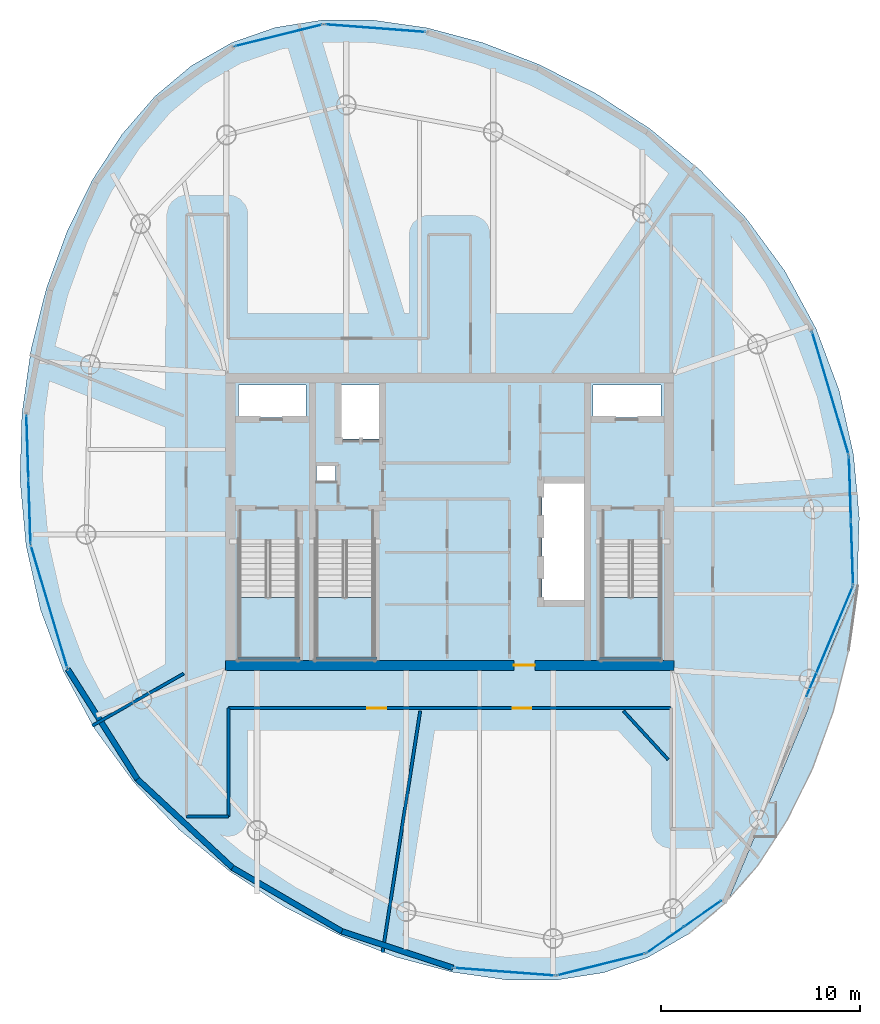
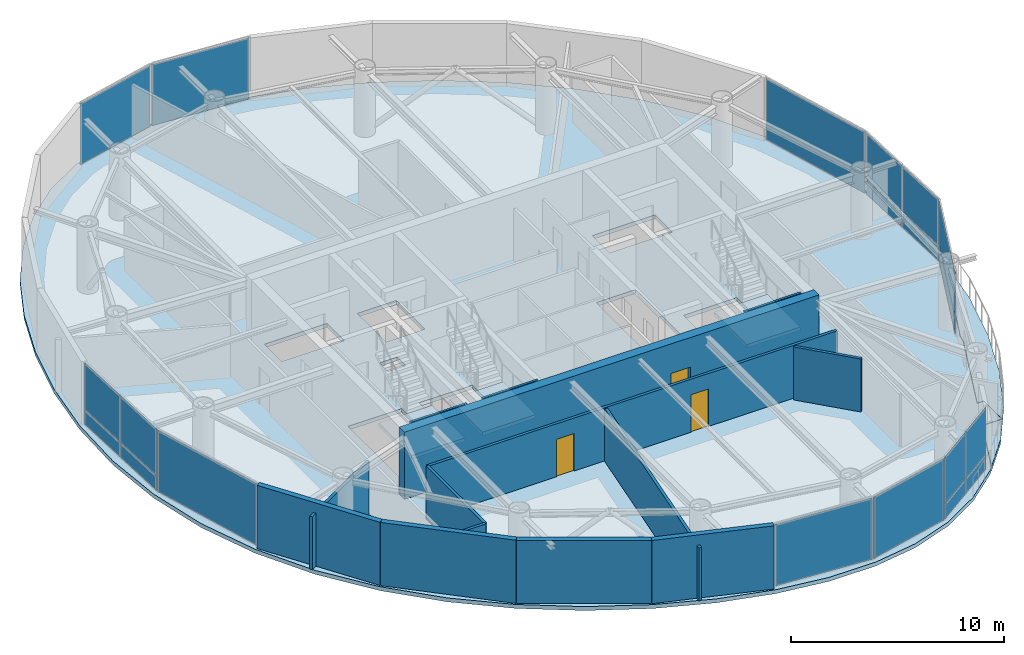
# One storey, part 16 of 23: 20 plates, 14 walls, 5 slabs, 3 doors, 3 openings, 13 elements without a shape of their own.
"""IFC4 building model written with IfcOpenShell, lengths in metres."""

from ifc_helpers import new_model, si_unit, direction, frame, frame_2d, origin, origin_2d, place, context, subcontext, project, spatial, polyline, rectangle, outline, extrude, material, layer, layer_set, type_object, element, fill, aggregate, save


model = new_model("IFC4")

# Units and contexts
model_context = context("Model", 3, precision=1e-05, world=origin(), true_north=direction((0.0, 1.0)))
body_context = subcontext(model_context, "Body", "Model", "MODEL_VIEW")
ifc_project = project(units=[si_unit("LENGTHUNIT", "METRE"), si_unit("AREAUNIT", "SQUARE_METRE"), si_unit("VOLUMEUNIT", "CUBIC_METRE"), si_unit("PLANEANGLEUNIT", "RADIAN"), si_unit("MASSUNIT", "GRAM", prefix="KILO")], contexts=[model_context])

# Site, building, storey
site_placement = place(None, origin())
site = spatial("IfcSite", under=ifc_project, at=site_placement, CompositionType="ELEMENT")
building_placement = place(site_placement, origin())
building = spatial("IfcBuilding", under=site, at=building_placement, Name="Bramvorn Convention Spire", CompositionType="ELEMENT")
storey_placement = place(building_placement, frame((0.0, 0.0, 295.949951171875)))
storey = spatial("IfcBuildingStorey", under=building, at=storey_placement, Name="L75", CompositionType="ELEMENT", Elevation=295.949951171875)

# Curtain wall, plates
ifc_material_1 = material(Name="Anodised Bronze Unitised Curtain Wall", Category="aluminium")
ifc_layer_1 = layer(ifc_material_1, 0.179931640625)
ifc_layer_set_1 = layer_set([ifc_layer_1], Name="Anodised Bronze Unitised Curtain Wall - CW-OFF-FRIT")
curtain_wall_type_1 = type_object("IfcCurtainWallType", Name="CW-OFF-FRIT", PredefinedType="USERDEFINED", material=ifc_layer_set_1)
curtain_wall_1_placement = place(storey_placement, origin())
curtain_wall_1 = element("IfcCurtainWall", 1, at=curtain_wall_1_placement, inside=storey, type_object=curtain_wall_type_1, Name="L75 fritted glass curtain wall 01", ObjectType="UNITISED CURTAIN WALL", PredefinedType="USERDEFINED")
ifc_material_2 = material(Name="Laminated Low-E Glass (Triple IGU High-VLT Low-Iron 22%)", Category="glass")
ifc_layer_2 = layer(ifc_material_2, 0.0419921875)
ifc_layer_set_2 = layer_set([ifc_layer_2], Name="Laminated Low-E Glass (Triple IGU High-VLT Low-Iron 22%) - PNL-IGU-4")
plate_type_1 = type_object("IfcPlateType", Name="PNL-IGU-4", PredefinedType="CURTAIN_PANEL", material=ifc_layer_set_2)
plate_1_placement = place(storey_placement, frame((50.6875, 6.34423828125, 0.06005859375), z_axis=(0.0, 0.0, 1.0), x_axis=(-0.819197572967, -0.573511409168, 0.0)))
plate_1 = element("IfcPlate", 2, at=plate_1_placement, type_object=plate_type_1, Name="CW3 panel 1.1", PredefinedType="CURTAIN_PANEL", context=body_context, shape_type="SweptSolid", body=[
    extrude(rectangle(XDim=2.2353515625, YDim=0.028076171875, at=origin_2d()), origin(), (0.0, 0.0, 1.0), 0.81005859375),
])
plate_2_placement = place(storey_placement, frame((50.6875, 6.34423828125, 0.93017578125), z_axis=(0.0, 0.0, 1.0), x_axis=(-0.819197572967, -0.573511409168, 0.0)))
plate_2 = element("IfcPlate", 3, at=plate_2_placement, type_object=plate_type_1, Name="CW3 panel 1.2", PredefinedType="CURTAIN_PANEL", context=body_context, shape_type="SweptSolid", body=[
    extrude(rectangle(XDim=2.2353515625, YDim=0.028076171875, at=origin_2d()), origin(), (0.0, 0.0, 1.0), 2.635009765625),
])
plate_3_placement = place(storey_placement, frame((48.80712890625, 5.02783203125, 0.06005859375), z_axis=(0.0, 0.0, 1.0), x_axis=(-0.819197572967, -0.573511409168, 0.0)))
plate_3 = element("IfcPlate", 4, at=plate_3_placement, type_object=plate_type_1, Name="CW3 panel 2.1", PredefinedType="CURTAIN_PANEL", context=body_context, shape_type="SweptSolid", body=[
    extrude(rectangle(XDim=2.2353515625, YDim=0.028076171875, at=origin_2d()), origin(), (0.0, 0.0, 1.0), 0.81005859375),
])
plate_4_placement = place(storey_placement, frame((48.80712890625, 5.02783203125, 0.93017578125), z_axis=(0.0, 0.0, 1.0), x_axis=(-0.819197572967, -0.573511409168, 0.0)))
plate_4 = element("IfcPlate", 5, at=plate_4_placement, type_object=plate_type_1, Name="CW3 panel 2.2", PredefinedType="CURTAIN_PANEL", context=body_context, shape_type="SweptSolid", body=[
    extrude(rectangle(XDim=2.2353515625, YDim=0.028076171875, at=origin_2d()), origin(), (0.0, 0.0, 1.0), 2.635009765625),
])
aggregate(curtain_wall_1, [plate_1, plate_2, plate_3, plate_4])

curtain_wall_2_placement = place(storey_placement, origin())
curtain_wall_2 = element("IfcCurtainWall", 6, at=curtain_wall_2_placement, inside=storey, type_object=curtain_wall_type_1, Name="L75 fritted glass curtain wall 05", ObjectType="UNITISED CURTAIN WALL", PredefinedType="USERDEFINED")
plate_5_placement = place(storey_placement, frame((58.07763671875, 27.675048828125, 0.06005859375), z_axis=(0.0, 0.0, 1.0), x_axis=(0.032147476854, -0.999483136292, 0.0)))
plate_5 = element("IfcPlate", 7, at=plate_5_placement, type_object=plate_type_1, Name="CW3 panel 1.1", PredefinedType="CURTAIN_PANEL", context=body_context, shape_type="SweptSolid", body=[
    extrude(rectangle(XDim=3.173095703125, YDim=0.028076171875, at=origin_2d()), origin(), (0.0, 0.0, 1.0), 0.81005859375),
])
plate_6_placement = place(storey_placement, frame((58.07763671875, 27.675048828125, 0.93017578125), z_axis=(0.0, 0.0, 1.0), x_axis=(0.032147476854, -0.999483136292, 0.0)))
plate_6 = element("IfcPlate", 8, at=plate_6_placement, type_object=plate_type_1, Name="CW3 panel 1.2", PredefinedType="CURTAIN_PANEL", context=body_context, shape_type="SweptSolid", body=[
    extrude(rectangle(XDim=3.173095703125, YDim=0.028076171875, at=origin_2d()), origin(), (0.0, 0.0, 1.0), 2.635009765625),
])
plate_7_placement = place(storey_placement, frame((58.181640625, 24.443603515625, 0.06005859375), z_axis=(0.0, 0.0, 1.0), x_axis=(0.032147476854, -0.999483136292, 0.0)))
plate_7 = element("IfcPlate", 9, at=plate_7_placement, type_object=plate_type_1, Name="CW3 panel 2.1", PredefinedType="CURTAIN_PANEL", context=body_context, shape_type="SweptSolid", body=[
    extrude(rectangle(XDim=3.173095703125, YDim=0.028076171875, at=origin_2d()), origin(), (0.0, 0.0, 1.0), 0.81005859375),
])
plate_8_placement = place(storey_placement, frame((58.181640625, 24.443603515625, 0.93017578125), z_axis=(0.0, 0.0, 1.0), x_axis=(0.032147476854, -0.999483136292, 0.0)))
plate_8 = element("IfcPlate", 10, at=plate_8_placement, type_object=plate_type_1, Name="CW3 panel 2.2", PredefinedType="CURTAIN_PANEL", context=body_context, shape_type="SweptSolid", body=[
    extrude(rectangle(XDim=3.173095703125, YDim=0.028076171875, at=origin_2d()), origin(), (0.0, 0.0, 1.0), 2.635009765625),
])
aggregate(curtain_wall_2, [plate_5, plate_6, plate_7, plate_8])

# Curtain wall, plate
curtain_wall_3_placement = place(storey_placement, origin())
curtain_wall_3 = element("IfcCurtainWall", 11, at=curtain_wall_3_placement, inside=storey, type_object=curtain_wall_type_1, Name="L75 fritted glass curtain wall 06", ObjectType="UNITISED CURTAIN WALL", PredefinedType="USERDEFINED")
plate_9_placement = place(storey_placement, frame((57.09423828125, 32.44873046875, 0.06005859375), z_axis=(0.0, 0.0, 1.0), x_axis=(0.285168477807, -0.958477406758, 0.0)))
plate_9 = element("IfcPlate", 12, at=plate_9_placement, type_object=plate_type_1, Name="CW3 panel 1.1", PredefinedType="CURTAIN_PANEL", context=body_context, shape_type="SweptSolid", body=[
    extrude(rectangle(XDim=6.406982421875, YDim=0.028076171875, at=origin_2d()), origin(), (0.0, 0.0, 1.0), 3.5048828125),
])
aggregate(curtain_wall_3, [plate_9])

curtain_wall_4_placement = place(storey_placement, origin())
curtain_wall_4 = element("IfcCurtainWall", 13, at=curtain_wall_4_placement, inside=storey, type_object=curtain_wall_type_1, Name="L75 fritted glass curtain wall 11", ObjectType="UNITISED CURTAIN WALL", PredefinedType="USERDEFINED")
plate_10_placement = place(storey_placement, frame((34.260498046875, 50.753173828125, 0.06005859375), z_axis=(0.0, 0.0, 1.0), x_axis=(0.99711246303, -0.075939028641, 0.0)))
plate_10 = element("IfcPlate", 14, at=plate_10_placement, type_object=plate_type_1, Name="CW3 panel 1.1", PredefinedType="CURTAIN_PANEL", context=body_context, shape_type="SweptSolid", body=[
    extrude(rectangle(XDim=5.05908203125, YDim=0.028076171875, at=origin_2d()), origin(), (0.0, 0.0, 1.0), 3.5048828125),
])
aggregate(curtain_wall_4, [plate_10])

curtain_wall_5_placement = place(storey_placement, origin())
curtain_wall_5 = element("IfcCurtainWall", 15, at=curtain_wall_5_placement, inside=storey, type_object=curtain_wall_type_1, Name="L75 fritted glass curtain wall 12", ObjectType="UNITISED CURTAIN WALL", PredefinedType="USERDEFINED")
plate_11_placement = place(storey_placement, frame((29.42138671875, 50.39111328125, 0.06005859375), z_axis=(0.0, 0.0, 1.0), x_axis=(0.970701489864, 0.240288613081, 0.0)))
plate_11 = element("IfcPlate", 16, at=plate_11_placement, type_object=plate_type_1, Name="CW3 panel 1.1", PredefinedType="CURTAIN_PANEL", context=body_context, shape_type="SweptSolid", body=[
    extrude(rectangle(XDim=4.53076171875, YDim=0.028076171875, at=origin_2d()), origin(), (0.0, 0.0, 1.0), 3.5048828125),
])
aggregate(curtain_wall_5, [plate_11])

# Curtain wall, plates
curtain_wall_6_placement = place(storey_placement, origin())
curtain_wall_6 = element("IfcCurtainWall", 17, at=curtain_wall_6_placement, inside=storey, type_object=curtain_wall_type_1, Name="L75 fritted glass curtain wall 17", ObjectType="UNITISED CURTAIN WALL", PredefinedType="USERDEFINED")
plate_12_placement = place(storey_placement, frame((16.928955078125, 26.509765625, 0.06005859375), z_axis=(0.0, 0.0, 1.0), x_axis=(-0.032147476854, 0.999483136292, 0.0)))
plate_12 = element("IfcPlate", 18, at=plate_12_placement, type_object=plate_type_1, Name="CW3 panel 1.1", PredefinedType="CURTAIN_PANEL", context=body_context, shape_type="SweptSolid", body=[
    extrude(rectangle(XDim=3.173095703125, YDim=0.028076171875, at=origin_2d()), origin(), (0.0, 0.0, 1.0), 0.81005859375),
])
plate_13_placement = place(storey_placement, frame((16.928955078125, 26.509765625, 0.93017578125), z_axis=(0.0, 0.0, 1.0), x_axis=(-0.032147476854, 0.999483136292, 0.0)))
plate_13 = element("IfcPlate", 19, at=plate_13_placement, type_object=plate_type_1, Name="CW3 panel 1.2", PredefinedType="CURTAIN_PANEL", context=body_context, shape_type="SweptSolid", body=[
    extrude(rectangle(XDim=3.173095703125, YDim=0.028076171875, at=origin_2d()), origin(), (0.0, 0.0, 1.0), 2.635009765625),
])
plate_14_placement = place(storey_placement, frame((16.824951171875, 29.7412109375, 0.06005859375), z_axis=(0.0, 0.0, 1.0), x_axis=(-0.032147476854, 0.999483136292, 0.0)))
plate_14 = element("IfcPlate", 20, at=plate_14_placement, type_object=plate_type_1, Name="CW3 panel 2.1", PredefinedType="CURTAIN_PANEL", context=body_context, shape_type="SweptSolid", body=[
    extrude(rectangle(XDim=3.173095703125, YDim=0.028076171875, at=origin_2d()), origin(), (0.0, 0.0, 1.0), 0.81005859375),
])
plate_15_placement = place(storey_placement, frame((16.824951171875, 29.7412109375, 0.93017578125), z_axis=(0.0, 0.0, 1.0), x_axis=(-0.032147476854, 0.999483136292, 0.0)))
plate_15 = element("IfcPlate", 21, at=plate_15_placement, type_object=plate_type_1, Name="CW3 panel 2.2", PredefinedType="CURTAIN_PANEL", context=body_context, shape_type="SweptSolid", body=[
    extrude(rectangle(XDim=3.173095703125, YDim=0.028076171875, at=origin_2d()), origin(), (0.0, 0.0, 1.0), 2.635009765625),
])
aggregate(curtain_wall_6, [plate_12, plate_13, plate_14, plate_15])

# Curtain wall, plate
curtain_wall_7_placement = place(storey_placement, origin())
curtain_wall_7 = element("IfcCurtainWall", 22, at=curtain_wall_7_placement, inside=storey, type_object=curtain_wall_type_1, Name="L75 fritted glass curtain wall 18", ObjectType="UNITISED CURTAIN WALL", PredefinedType="USERDEFINED")
plate_16_placement = place(storey_placement, frame((17.91259765625, 21.736083984375, 0.06005859375), z_axis=(0.0, 0.0, 1.0), x_axis=(-0.285168477807, 0.958477406758, 0.0)))
plate_16 = element("IfcPlate", 23, at=plate_16_placement, type_object=plate_type_1, Name="CW3 panel 1.1", PredefinedType="CURTAIN_PANEL", context=body_context, shape_type="SweptSolid", body=[
    extrude(rectangle(XDim=6.406982421875, YDim=0.028076171875, at=origin_2d()), origin(), (0.0, 0.0, 1.0), 3.5048828125),
])
aggregate(curtain_wall_7, [plate_16])

curtain_wall_8_placement = place(storey_placement, origin())
curtain_wall_8 = element("IfcCurtainWall", 24, at=curtain_wall_8_placement, inside=storey, type_object=curtain_wall_type_1, Name="L75 fritted glass curtain wall 23", ObjectType="UNITISED CURTAIN WALL", PredefinedType="USERDEFINED")
plate_17_placement = place(storey_placement, frame((40.74609375, 3.431640625, 0.06005859375), z_axis=(0.0, 0.0, 1.0), x_axis=(-0.997112574372, 0.075937566659, 0.0)))
plate_17 = element("IfcPlate", 25, at=plate_17_placement, type_object=plate_type_1, Name="CW3 panel 1.1", PredefinedType="CURTAIN_PANEL", context=body_context, shape_type="SweptSolid", body=[
    extrude(rectangle(XDim=5.059326171875, YDim=0.028076171875, at=origin_2d()), origin(), (0.0, 0.0, 1.0), 3.5048828125),
])
aggregate(curtain_wall_8, [plate_17])

curtain_wall_9_placement = place(storey_placement, origin())
curtain_wall_9 = element("IfcCurtainWall", 26, at=curtain_wall_9_placement, inside=storey, type_object=curtain_wall_type_1, Name="L75 fritted glass curtain wall 24", ObjectType="UNITISED CURTAIN WALL", PredefinedType="USERDEFINED")
plate_18_placement = place(storey_placement, frame((45.58544921875, 3.793701171875, 0.06005859375), z_axis=(0.0, 0.0, 1.0), x_axis=(-0.97070024831, -0.240293628569, 0.0)))
plate_18 = element("IfcPlate", 27, at=plate_18_placement, type_object=plate_type_1, Name="CW3 panel 1.1", PredefinedType="CURTAIN_PANEL", context=body_context, shape_type="SweptSolid", body=[
    extrude(rectangle(XDim=4.530517578125, YDim=0.028076171875, at=origin_2d()), origin(), (0.0, 0.0, 1.0), 3.5048828125),
])
aggregate(curtain_wall_9, [plate_18])

# Curtain wall, plates
ifc_layer_3 = layer(ifc_material_1, 0.219970703125)
ifc_layer_set_3 = layer_set([ifc_layer_3], Name="Anodised Bronze Unitised Curtain Wall - CW-SKYGARDEN")
curtain_wall_type_2 = type_object("IfcCurtainWallType", Name="CW-SKYGARDEN", PredefinedType="USERDEFINED", material=ifc_layer_set_3)
curtain_wall_10_placement = place(storey_placement, origin())
curtain_wall_10 = element("IfcCurtainWall", 28, at=curtain_wall_10_placement, inside=storey, type_object=curtain_wall_type_2, Name="L75 Sky Garden glazed facade 04", ObjectType="WINTER GARDEN GLAZING", PredefinedType="USERDEFINED")
ifc_material_3 = material(Name="Laminated Low-E Glass (Acoustic Laminated Podium Triple IGU)", Category="glass")
ifc_layer_4 = layer(ifc_material_3, 0.0458984375)
ifc_layer_set_4 = layer_set([ifc_layer_4], Name="Laminated Low-E Glass (Acoustic Laminated Podium Triple IGU) - PNL-IGU-5")
plate_type_2 = type_object("IfcPlateType", Name="PNL-IGU-5", PredefinedType="CURTAIN_PANEL", material=ifc_layer_set_4)
plate_19_placement = place(storey_placement, frame((57.0556640625, 19.994140625, 0.06005859375), z_axis=(0.0, 0.0, 1.0), x_axis=(-0.38761895823, -0.921819691274, 0.0)))
plate_19 = element("IfcPlate", 29, at=plate_19_placement, type_object=plate_type_2, Name="CW4 panel 1.1", PredefinedType="CURTAIN_PANEL", context=body_context, shape_type="SweptSolid", body=[
    extrude(rectangle(XDim=5.96337890625, YDim=0.028076171875, at=origin_2d()), origin(), (0.0, 0.0, 1.0), 0.909912109375),
])
plate_20_placement = place(storey_placement, frame((57.0556640625, 19.994140625, 1.0302734375), z_axis=(0.0, 0.0, 1.0), x_axis=(-0.38761895823, -0.921819691274, 0.0)))
plate_20 = element("IfcPlate", 30, at=plate_20_placement, type_object=plate_type_2, Name="CW4 panel 1.2", PredefinedType="CURTAIN_PANEL", context=body_context, shape_type="SweptSolid", body=[
    extrude(rectangle(XDim=5.96337890625, YDim=0.028076171875, at=origin_2d()), origin(), (0.0, 0.0, 1.0), 2.534912109375),
])
aggregate(curtain_wall_10, [plate_19, plate_20])

# Slab
ifc_material_4 = material(Name="Concrete C40/50 Sky-Garden Terrace Slab", Category="concrete")
ifc_layer_5 = layer(ifc_material_4, 0.260009765625)
ifc_layer_set_5 = layer_set([ifc_layer_5], Name="Concrete C40/50 Sky-Garden Terrace Slab - SLB-SKYGARDEN-260")
slab_type_1 = type_object("IfcSlabType", Name="SLB-SKYGARDEN-260", PredefinedType="FLOOR", material=ifc_layer_set_5)
slab_1_placement = place(storey_placement, frame((0.0, 0.0, -0.260009765625)))
element("IfcSlab", 31, at=slab_1_placement, inside=storey, type_object=slab_type_1, Name="L75 planted double-height Sky Garden terrace slab", PredefinedType="FLOOR", context=body_context, shape_type="SweptSolid", body=[
    extrude(outline(polyline([(55.969970703125, 16.609619140625), (54.0087890625, 11.916259765625), (54.3662109375, 11.908203125), (54.365478515625, 10.202392578125), (53.290283203125, 10.1962890625), (51.98779296875, 7.07861328125), (53.449951171875, 8.767578125), (54.92578125, 11.0400390625), (56.197998046875, 13.63037109375), (57.237548828125, 16.490478515625), (58.00634765625, 19.5625), (58.46044921875, 22.77978515625), (56.08203125, 17.111328125), (55.969970703125, 16.609619140625)])), origin(), (0.0, 0.0, 1.0), 0.260009765625),
])

# Stair, slab
ifc_material_5 = material(Name="Concrete C40/50 Precast Stair", Category="concrete")
stair_type = type_object("IfcStairType", Name="ST-TOWER-1550", PredefinedType="HALF_TURN_STAIR", material=ifc_material_5)
stair_1_placement = place(storey_placement, origin())
stair_1 = element("IfcStair", 32, at=stair_1_placement, inside=storey, type_object=stair_type, Name="L75 Protected Exit Stair ST1", PredefinedType="HALF_TURN_STAIR")
ifc_material_6 = material(Name="Concrete C40/50 Stair Landing", Category="concrete")
ifc_layer_6 = layer(ifc_material_6, 0.219970703125)
ifc_layer_set_6 = layer_set([ifc_layer_6], Name="Concrete C40/50 Stair Landing - SLB-STAIR-LANDING")
slab_type_2 = type_object("IfcSlabType", Name="SLB-STAIR-LANDING", PredefinedType="LANDING", material=ifc_layer_set_6)
slab_2_placement = place(storey_placement, frame((0.0, 0.0, 1.72509765625)))
slab_2 = element("IfcSlab", 33, at=slab_2_placement, type_object=slab_type_2, Name="ST1 landing 1", PredefinedType="LANDING", context=body_context, shape_type="SweptSolid", body=[
    extrude(outline(polyline([(27.449951171875, 22.199951171875), (27.449951171875, 19.10009765625), (30.35009765625, 19.10009765625), (30.35009765625, 22.199951171875), (27.449951171875, 22.199951171875)])), origin(), (0.0, 0.0, 1.0), 0.199951171875),
])
aggregate(stair_1, [slab_2])

stair_2_placement = place(storey_placement, origin())
stair_2 = element("IfcStair", 34, at=stair_2_placement, inside=storey, type_object=stair_type, Name="L75 Protected Exit Stair ST2", PredefinedType="HALF_TURN_STAIR")
slab_3_placement = place(storey_placement, frame((0.0, 0.0, 1.72509765625)))
slab_3 = element("IfcSlab", 35, at=slab_3_placement, type_object=slab_type_2, Name="ST2 landing 1", PredefinedType="LANDING", context=body_context, shape_type="SweptSolid", body=[
    extrude(outline(polyline([(45.64990234375, 22.199951171875), (45.64990234375, 19.10009765625), (48.550048828125, 19.10009765625), (48.550048828125, 22.199951171875), (45.64990234375, 22.199951171875)])), origin(), (0.0, 0.0, 1.0), 0.199951171875),
])
aggregate(stair_2, [slab_3])

stair_3_placement = place(storey_placement, origin())
stair_3 = element("IfcStair", 36, at=stair_3_placement, inside=storey, type_object=stair_type, Name="L75 Protected Exit Stair ST3", PredefinedType="HALF_TURN_STAIR")
slab_4_placement = place(storey_placement, frame((0.0, 0.0, 1.72509765625)))
slab_4 = element("IfcSlab", 37, at=slab_4_placement, type_object=slab_type_2, Name="ST3 landing 1", PredefinedType="LANDING", context=body_context, shape_type="SweptSolid", body=[
    extrude(outline(polyline([(31.300048828125, 22.199951171875), (31.300048828125, 19.10009765625), (34.199951171875, 19.10009765625), (34.199951171875, 22.199951171875), (31.300048828125, 22.199951171875)])), origin(), (0.0, 0.0, 1.0), 0.199951171875),
])
aggregate(stair_3, [slab_4])

# Slab
ifc_material_7 = material(Name="Concrete C40/50", Category="concrete")
ifc_layer_7 = layer(ifc_material_7, 0.22509765625)
ifc_layer_set_7 = layer_set([ifc_layer_7], Name="Concrete C40/50 - SLB-Z4-225")
slab_type_3 = type_object("IfcSlabType", Name="SLB-Z4-225", PredefinedType="FLOOR", material=ifc_layer_set_7)
slab_5_placement = place(storey_placement, frame((0.0, 0.0, -0.224853515625)))
element("IfcSlab", 38, at=slab_5_placement, inside=storey, type_object=slab_type_3, Name="L75 tower floor slab", PredefinedType="FLOOR", context=body_context, shape_type="SweptSolid", body=[
    extrude(outline(polyline([(45.7392578125, 3.391357421875), (43.367919921875, 3.01953125), (40.829345703125, 3.029296875), (38.146728515625, 3.4111328125), (35.3583984375, 4.1552734375), (32.519775390625, 5.251953125), (29.699462890625, 6.692138671875), (26.976318359375, 8.46484375), (24.43359375, 10.556396484375), (22.150634765625, 12.947265625), (20.197021484375, 15.6103515625), (18.626953125, 18.509765625), (17.47412109375, 21.59912109375), (16.75146484375, 24.82177734375), (16.45068359375, 28.114013671875), (16.546142578125, 31.405029296875), (17.000244140625, 34.622314453125), (17.76904296875, 37.694091796875), (18.80859375, 40.554443359375), (20.080810546875, 43.14453125), (21.556884765625, 45.417236328125), (23.21826171875, 47.336669921875), (25.05712890625, 48.879150390625), (27.072998046875, 50.032470703125), (29.267333984375, 50.79345703125), (31.638671875, 51.165283203125), (34.17724609375, 51.155517578125), (36.860107421875, 50.773681640625), (39.648193359375, 50.029541015625), (42.487060546875, 48.932861328125), (45.307373046875, 47.49267578125), (48.0302734375, 45.719970703125), (50.572998046875, 43.62841796875), (52.856201171875, 41.237548828125), (54.8095703125, 38.574462890625), (56.3798828125, 35.675048828125), (57.532470703125, 32.585693359375), (58.255126953125, 29.36279296875), (58.555908203125, 26.07080078125), (58.555419921875, 26.05078125), (58.535888671875, 26.0712890625), (58.440673828125, 22.7841796875), (57.20166015625, 19.85888671875), (56.146484375, 17.2666015625), (56.124755859375, 17.2666015625), (56.0634765625, 17.119140625), (55.960693359375, 16.613525390625), (53.993896484375, 11.90625), (54.3564453125, 11.90625), (54.3564453125, 10.206298828125), (53.28369140625, 10.206298828125), (51.966796875, 7.05419921875), (51.78857421875, 6.84814453125), (49.949462890625, 5.3056640625), (47.93359375, 4.15234375), (45.7392578125, 3.391357421875)]), holes=[polyline([(27.449951171875, 25.050048828125), (27.449951171875, 19.10009765625), (30.35009765625, 19.10009765625), (30.35009765625, 25.050048828125), (27.449951171875, 25.050048828125)]), polyline([(45.64990234375, 25.050048828125), (45.64990234375, 19.10009765625), (48.550048828125, 19.10009765625), (48.550048828125, 25.050048828125), (45.64990234375, 25.050048828125)]), polyline([(31.300048828125, 25.050048828125), (31.300048828125, 19.10009765625), (34.199951171875, 19.10009765625), (34.199951171875, 25.050048828125), (31.300048828125, 25.050048828125)]), polyline([(27.39990234375, 31.219970703125), (30.800048828125, 31.219970703125), (30.800048828125, 32.85009765625), (27.39990234375, 32.85009765625), (27.39990234375, 31.219970703125)]), polyline([(45.199951171875, 31.219970703125), (48.60009765625, 31.219970703125), (48.60009765625, 32.85009765625), (45.199951171875, 32.85009765625), (45.199951171875, 31.219970703125)]), polyline([(32.449951171875, 30.14990234375), (34.56005859375, 30.14990234375), (34.56005859375, 32.85009765625), (32.449951171875, 32.85009765625), (32.449951171875, 30.14990234375)]), polyline([(42.6201171875, 22.0), (44.75, 22.0), (44.75, 28.0), (42.6201171875, 28.0), (42.6201171875, 22.0)]), polyline([(31.320068359375, 28.02001953125), (32.280029296875, 28.02001953125), (32.280029296875, 28.820068359375), (31.320068359375, 28.820068359375), (31.320068359375, 28.02001953125)])]), origin(), (0.0, 0.0, 1.0), 0.224853515625),
])

# Wall, opening, door
ifc_material_8 = material(Name="Concrete C50/60", Category="concrete")
ifc_layer_8 = layer(ifc_material_8, 0.5)
ifc_layer_set_8 = layer_set([ifc_layer_8], Name="Concrete C50/60 - WL-CORE-500")
wall_type_1 = type_object("IfcWallType", Name="WL-CORE-500", PredefinedType="SHEAR", material=ifc_layer_set_8)
wall_1_placement = place(storey_placement, frame((26.75, 18.800048828125, 0.0), z_axis=(0.0, 0.0, 1.0), x_axis=(1.0, 0.0, 0.0)))
wall_1 = element("IfcWall", 39, at=wall_1_placement, inside=storey, type_object=wall_type_1, Name="L75 South RC core shear wall", PredefinedType="SHEAR", context=body_context, shape_type="SweptSolid", body=[
    extrude(rectangle(XDim=22.5, YDim=0.5, at=frame_2d((11.25, 0.0))), origin(), (0.0, 0.0, 1.0), 3.85009765625),
])
opening_1_placement = place(wall_1_placement, frame((14.469970703125, 0.0, 0.0)))
opening_1 = element("IfcOpeningElement", 40, at=opening_1_placement, cuts=wall_1, Name="Opening DL-105", PredefinedType="OPENING", context=body_context, shape_type="SweptSolid", body=[
    extrude(rectangle(XDim=1.050048828125, YDim=2.14990234375, at=frame_2d((0.52490234375, 1.074951171875))), frame((0.0, 0.260009765625, 0.0), z_axis=(0.0, -1.0, 0.0), x_axis=(1.0, 0.0, 0.0)), (0.0, 0.0, 1.0), 0.52001953125),
])
ifc_material_9 = material(Name="Smoke-Sealed Fire Lobby Timber-Core Door", Category="wood")
door_type_1 = type_object("IfcDoorType", Name="DR-LOBBY-1050", OperationType="NOTDEFINED", PredefinedType="DOOR", material=ifc_material_9)
door_1_placement = place(opening_1_placement, origin())
door_1 = element("IfcDoor", 41, at=door_1_placement, inside=storey, type_object=door_type_1, Name="L75 South Lift Lobby fire door", OperationType="SINGLE_SWING_RIGHT", OverallHeight=2.14990234375, OverallWidth=1.050048828125, PredefinedType="DOOR", context=body_context, shape_type="SweptSolid", body=[
    extrude(rectangle(XDim=1.050048828125, YDim=2.14990234375, at=frame_2d((0.52490234375, 1.074951171875))), frame((0.0, 0.02490234375, 0.0), z_axis=(0.0, -1.0, 0.0), x_axis=(1.0, 0.0, 0.0)), (0.0, 0.0, 1.0), 0.050048828125),
])
fill(opening_1, door_1)

# Walls
ifc_material_10 = material(Name="Precast Concrete C40/50 with Bronze Terracotta Rainscreen", Category="masonry")
ifc_layer_9 = layer(ifc_material_10, 0.300048828125)
ifc_layer_set_9 = layer_set([ifc_layer_9], Name="Precast Concrete C40/50 with Bronze Terracotta Rainscreen - WL-EXT-BRONZE-300")
wall_type_2 = type_object("IfcWallType", Name="WL-EXT-BRONZE-300", PredefinedType="SOLIDWALL", material=ifc_layer_set_9)
wall_2_placement = place(storey_placement, frame((22.333740234375, 13.093017578125, 0.0), z_axis=(0.0, 0.0, 1.0), x_axis=(-0.53478508488, 0.844988114111, 0.0)))
element("IfcWall", 42, at=wall_2_placement, inside=storey, type_object=wall_type_2, Name="L75 expressed bronze Gothic lancet pier wall 19", PredefinedType="SOLIDWALL", context=body_context, shape_type="SweptSolid", body=[
    extrude(rectangle(XDim=6.52685546875, YDim=0.280029296875, at=frame_2d((3.263427734375, 0.0))), origin(), (0.0, 0.0, 1.0), 3.625),
])
wall_3_placement = place(storey_placement, frame((27.111328125, 8.64697265625, 0.0), z_axis=(0.0, 0.0, 1.0), x_axis=(-0.732050928605, 0.681249908571, 0.0)))
element("IfcWall", 43, at=wall_3_placement, inside=storey, type_object=wall_type_2, Name="L75 expressed bronze Gothic lancet pier wall 20", PredefinedType="SOLIDWALL", context=body_context, shape_type="SweptSolid", body=[
    extrude(rectangle(XDim=6.5263671875, YDim=0.280029296875, at=frame_2d((3.26318359375, 0.0))), origin(), (0.0, 0.0, 1.0), 3.625),
])
wall_4_placement = place(storey_placement, frame((32.596923828125, 5.4580078125, 0.0), z_axis=(0.0, 0.0, 1.0), x_axis=(-0.864530125535, 0.502581000478, 0.0)))
element("IfcWall", 44, at=wall_4_placement, inside=storey, type_object=wall_type_2, Name="L75 expressed bronze Gothic lancet pier wall 21", PredefinedType="SOLIDWALL", context=body_context, shape_type="SweptSolid", body=[
    extrude(rectangle(XDim=6.34521484375, YDim=0.280029296875, at=frame_2d((3.172607421875, 0.0))), origin(), (0.0, 0.0, 1.0), 3.625),
])
wall_5_placement = place(storey_placement, frame((38.163818359375, 3.62841796875, 0.0), z_axis=(0.0, 0.0, 1.0), x_axis=(-0.950008094352, 0.312225272304, 0.0)))
element("IfcWall", 45, at=wall_5_placement, inside=storey, type_object=wall_type_2, Name="L75 expressed bronze Gothic lancet pier wall 22", PredefinedType="SOLIDWALL", context=body_context, shape_type="SweptSolid", body=[
    extrude(rectangle(XDim=5.85986328125, YDim=0.280029296875, at=frame_2d((2.929931640625, 0.0))), origin(), (0.0, 0.0, 1.0), 3.625),
])

# Wall, openings, doors
ifc_material_11 = material(Name="Acoustic Metal-Stud Tenant/Corridor Partition", Category="gypsum")
ifc_layer_10 = layer(ifc_material_11, 0.14990234375)
ifc_layer_set_10 = layer_set([ifc_layer_10], Name="Acoustic Metal-Stud Tenant/Corridor Partition - WL-PART-150")
wall_type_3 = type_object("IfcWallType", Name="WL-PART-150", PredefinedType="PARTITIONING", material=ifc_layer_set_10)
wall_6_placement = place(storey_placement, frame((26.89990234375, 16.64990234375, 0.0), z_axis=(0.0, 0.0, 1.0), x_axis=(1.0, 0.0, 0.0)))
wall_6 = element("IfcWall", 46, at=wall_6_placement, inside=storey, type_object=wall_type_3, Name="L75 South H-crossbar wall", PredefinedType="PARTITIONING", context=body_context, shape_type="SweptSolid", body=[
    extrude(rectangle(XDim=22.2001953125, YDim=0.14990234375, at=frame_2d((11.10009765625, 0.0))), origin(), (0.0, 0.0, 1.0), 3.0400390625),
])
opening_2_placement = place(wall_6_placement, frame((6.96533203125, 0.0, 0.0)))
opening_2 = element("IfcOpeningElement", 47, at=opening_2_placement, cuts=wall_6, Name="Opening DH-095", PredefinedType="OPENING", context=body_context, shape_type="SweptSolid", body=[
    extrude(rectangle(XDim=0.949951171875, YDim=2.14990234375, at=frame_2d((0.47509765625, 1.074951171875))), frame((0.0, 0.0849609375, 0.0), z_axis=(0.0, -1.0, 0.0), x_axis=(1.0, 0.0, 0.0)), (0.0, 0.0, 1.0), 0.169921875),
])
opening_3_placement = place(wall_6_placement, frame((14.250732421875, 0.0, 0.0)))
opening_3 = element("IfcOpeningElement", 48, at=opening_3_placement, cuts=wall_6, Name="Opening DH-095", PredefinedType="OPENING", context=body_context, shape_type="SweptSolid", body=[
    extrude(rectangle(XDim=0.949951171875, YDim=2.14990234375, at=frame_2d((0.47509765625, 1.074951171875))), frame((0.0, 0.0849609375, 0.0), z_axis=(0.0, -1.0, 0.0), x_axis=(1.0, 0.0, 0.0)), (0.0, 0.0, 1.0), 0.169921875),
])
ifc_material_12 = material(Name="Solid-Core Acoustic Guestroom Entry Door", Category="wood")
door_type_2 = type_object("IfcDoorType", Name="DR-HOTEL-950", OperationType="NOTDEFINED", PredefinedType="DOOR", material=ifc_material_12)
door_2_placement = place(opening_2_placement, origin())
door_2 = element("IfcDoor", 49, at=door_2_placement, inside=storey, type_object=door_type_2, Name="L75 Sommelier Wine Cellar Store 5 door", OperationType="SINGLE_SWING_RIGHT", OverallHeight=2.14990234375, OverallWidth=0.949951171875, PredefinedType="DOOR", context=body_context, shape_type="SweptSolid", body=[
    extrude(rectangle(XDim=0.949951171875, YDim=2.14990234375, at=frame_2d((0.47509765625, 1.074951171875))), frame((0.0, 0.02490234375, 0.0), z_axis=(0.0, -1.0, 0.0), x_axis=(1.0, 0.0, 0.0)), (0.0, 0.0, 1.0), 0.050048828125),
])
fill(opening_2, door_2)
door_3_placement = place(opening_3_placement, origin())
door_3 = element("IfcDoor", 50, at=door_3_placement, inside=storey, type_object=door_type_2, Name="L75 Private Event Meeting Suite 6 door", OperationType="SINGLE_SWING_LEFT", OverallHeight=2.14990234375, OverallWidth=0.949951171875, PredefinedType="DOOR", context=body_context, shape_type="SweptSolid", body=[
    extrude(rectangle(XDim=0.949951171875, YDim=2.14990234375, at=frame_2d((0.47509765625, 1.074951171875))), frame((0.0, 0.02490234375, 0.0), z_axis=(0.0, -1.0, 0.0), x_axis=(1.0, 0.0, 0.0)), (0.0, 0.0, 1.0), 0.050048828125),
])
fill(opening_3, door_3)

# Walls
wall_7_placement = place(storey_placement, frame((26.89990234375, 11.207763671875, 0.0), z_axis=(0.0, 0.0, 1.0), x_axis=(0.0, 1.0, 0.0)))
element("IfcWall", 51, at=wall_7_placement, inside=storey, type_object=wall_type_3, Name="L75 West gallery SE wall", PredefinedType="PARTITIONING", context=body_context, shape_type="SweptSolid", body=[
    extrude(rectangle(XDim=5.442138671875, YDim=0.14990234375, at=frame_2d((2.72119140625, 0.0))), origin(), (0.0, 0.0, 1.0), 3.0400390625),
])
wall_8_placement = place(storey_placement, frame((24.800048828125, 11.207763671875, 0.0), z_axis=(0.0, 0.0, 1.0), x_axis=(1.0, 0.0, 0.0)))
element("IfcWall", 52, at=wall_8_placement, inside=storey, type_object=wall_type_3, Name="L75 West gallery south end", PredefinedType="PARTITIONING", context=body_context, shape_type="SweptSolid", body=[
    extrude(rectangle(XDim=2.099853515625, YDim=0.14990234375, at=frame_2d((1.0498046875, 0.0))), origin(), (0.0, 0.0, 1.0), 3.0400390625),
])
wall_9_placement = place(storey_placement, frame((24.659912109375, 18.38671875, 0.0), z_axis=(0.0, 0.0, 1.0), x_axis=(-0.868484898305, -0.495715625551, 0.0)))
element("IfcWall", 53, at=wall_9_placement, inside=storey, type_object=wall_type_3, Name="L75 Tenant suite partition 5", PredefinedType="PARTITIONING", context=body_context, shape_type="SweptSolid", body=[
    extrude(rectangle(XDim=5.280029296875, YDim=0.14990234375, at=frame_2d((2.64013671875, 0.0))), origin(), (0.0, 0.0, 1.0), 3.0400390625),
])
wall_10_placement = place(storey_placement, frame((36.521240234375, 16.510009765625, 0.0), z_axis=(0.0, 0.0, 1.0), x_axis=(-0.153979358171, -0.988074064662, 0.0)))
element("IfcWall", 54, at=wall_10_placement, inside=storey, type_object=wall_type_3, Name="L75 Tenant suite partition 6", PredefinedType="PARTITIONING", context=body_context, shape_type="SweptSolid", body=[
    extrude(rectangle(XDim=12.253173828125, YDim=0.14990234375, at=frame_2d((6.12646484375, 0.0))), origin(), (0.0, 0.0, 1.0), 3.0400390625),
])
wall_11_placement = place(storey_placement, frame((46.7177734375, 16.510009765625, 0.0), z_axis=(0.0, 0.0, 1.0), x_axis=(0.676491436153, -0.736450498548, 0.0)))
element("IfcWall", 55, at=wall_11_placement, inside=storey, type_object=wall_type_3, Name="L75 Tenant suite partition 7", PredefinedType="PARTITIONING", context=body_context, shape_type="SweptSolid", body=[
    extrude(rectangle(XDim=3.314453125, YDim=0.14990234375, at=frame_2d((1.6572265625, 0.0))), origin(), (0.0, 0.0, 1.0), 3.0400390625),
])
ifc_layer_11 = layer(ifc_material_8, 0.1201171875)
ifc_layer_set_11 = layer_set([ifc_layer_11], Name="Concrete C50/60 - WL-STAIR-RC-120")
wall_type_4 = type_object("IfcWallType", Name="WL-STAIR-RC-120", PredefinedType="SHEAR", material=ifc_layer_set_11)
for number, where, z_axis, x_axis, name in (
    (56, (27.39501953125, 19.159912109375, 0.0), (0.0, 0.0, 1.0), (1.0, 0.0, 0.0), "L75 ST1 south bearing shear wall"),
    (57, (45.510009765625, 19.159912109375, 0.0), (0.0, 0.0, 1.0), (1.0, 0.0, 0.0), "L75 ST2 south bearing shear wall"),
):
    element("IfcWall", number, at=place(storey_placement, frame(where, z_axis=z_axis, x_axis=x_axis)), inside=storey, type_object=wall_type_4, Name=name, PredefinedType="SHEAR", context=body_context, shape_type="SweptSolid", body=[
        extrude(rectangle(XDim=3.094970703125, YDim=0.1201171875, at=frame_2d((1.54736328125, 0.0))), origin(), (0.0, 0.0, 1.0), 3.85009765625),
    ])
wall_12_placement = place(storey_placement, frame((31.300048828125, 19.159912109375, 0.0), z_axis=(0.0, 0.0, 1.0), x_axis=(1.0, 0.0, 0.0)))
element("IfcWall", 58, at=wall_12_placement, inside=storey, type_object=wall_type_4, Name="L75 ST3 south bearing shear wall", PredefinedType="SHEAR", context=body_context, shape_type="SweptSolid", body=[
    extrude(rectangle(XDim=3.0400390625, YDim=0.1201171875, at=frame_2d((1.52001953125, 0.0))), origin(), (0.0, 0.0, 1.0), 3.85009765625),
])

save(model, "model.ifc")
